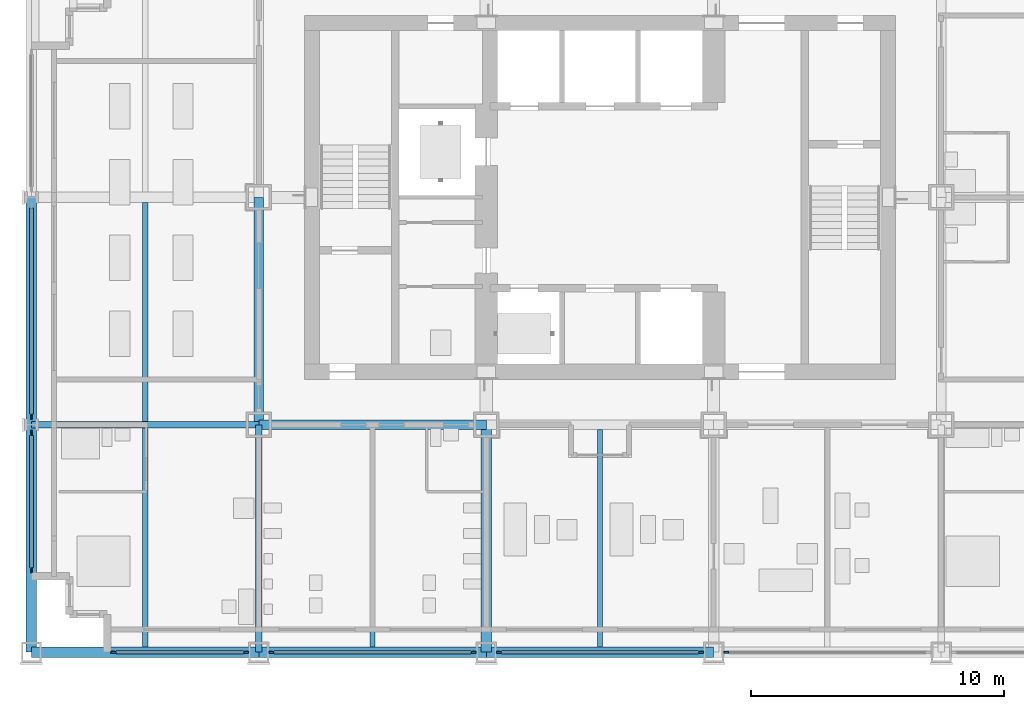
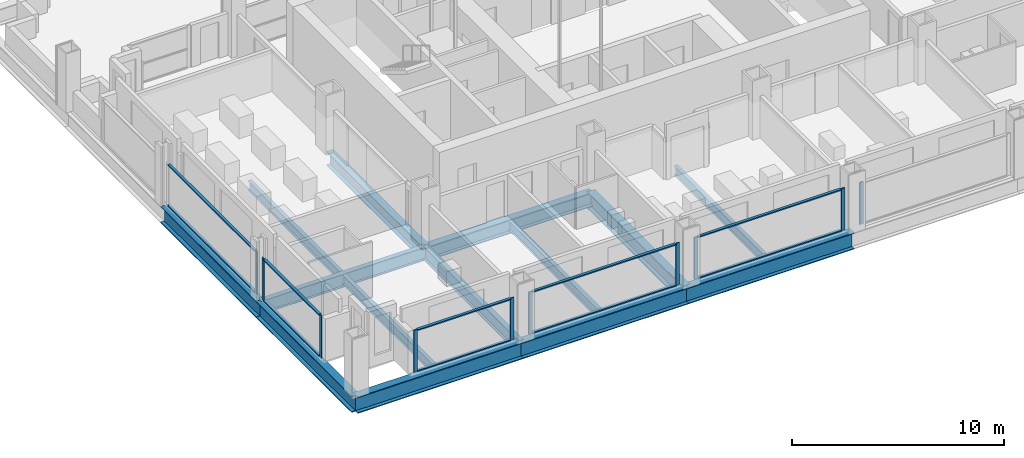
# One storey, part 2 of 15: 20 members, 14 beams, 6 elements without a shape of their own.
"""IFC4 building model written with IfcOpenShell, lengths in metres."""

from ifc_helpers import new_model, si_unit, direction, frame, origin, origin_2d, place, context, subcontext, project, spatial, rectangle, i_section, extrude, material, material_profile, profile_set, type_object, element, aggregate, save


model = new_model("IFC4")

# Units and contexts
model_context = context("Model", 3, precision=1e-05, world=origin(), true_north=direction((0.0, 1.0)))
body_context = subcontext(model_context, "Body", "Model", "MODEL_VIEW")
ifc_project = project(units=[si_unit("LENGTHUNIT", "METRE"), si_unit("AREAUNIT", "SQUARE_METRE"), si_unit("VOLUMEUNIT", "CUBIC_METRE"), si_unit("PLANEANGLEUNIT", "RADIAN"), si_unit("MASSUNIT", "GRAM", prefix="KILO")], contexts=[model_context])

# Site, building, storey
site_placement = place(None, origin())
site = spatial("IfcSite", under=ifc_project, at=site_placement, CompositionType="ELEMENT")
building_placement = place(site_placement, origin())
building = spatial("IfcBuilding", under=site, at=building_placement, Name="Loomwork Tower", CompositionType="ELEMENT")
storey_placement = place(building_placement, frame((0.0, 0.0, 160.39990234375)))
storey = spatial("IfcBuildingStorey", under=building, at=storey_placement, Name="L43", CompositionType="ELEMENT", Elevation=160.39990234375)

# Beams
ifc_material_1 = material(Name="Steel ASTM A992", Category="steel")
ifc_material_profile_1 = material_profile(ifc_material_1, i_section(OverallWidth=0.424072265625, OverallDepth=0.947509765625, WebThickness=0.02392578125, FlangeThickness=0.042724609375, at=origin_2d()), Name="W36x302")
ifc_profile_set_1 = profile_set([ifc_material_profile_1], Name="Steel ASTM A992")
beam_type_1 = type_object("IfcBeamType", Name="BELT CHORD SPANDREL W36x302", PredefinedType="SPANDREL", material=ifc_profile_set_1)
for number, where, z_axis, x_axis, name in (
    (1, (0.0, 0.0, -0.673583984375), (1.0, 0.0, 0.0), (0.0, 1.0, 0.0), "Belt Chord Spandrel D/2-D/3 L43"),
    (2, (9.0, 0.0, -0.673583984375), (1.0, 0.0, 0.0), (0.0, 1.0, 0.0), "Belt Chord Spandrel D/3-D/4 L43"),
    (3, (18.0, 0.0, -0.673583984375), (1.0, 0.0, 0.0), (0.0, 1.0, 0.0), "Belt Chord Spandrel D/4-D/5 L43"),
    (4, (0.0, 0.0, -0.673583984375), (0.0, 1.0, 0.0), (-1.0, 0.0, 0.0), "Belt Chord Spandrel D/2-E/2 L43"),
    (5, (0.0, 9.0, -0.673583984375), (0.0, 1.0, 0.0), (-1.0, 0.0, 0.0), "Belt Chord Spandrel E/2-F/2 L43"),
):
    element("IfcBeam", number, at=place(storey_placement, frame(where, z_axis=z_axis, x_axis=x_axis)), inside=storey, type_object=beam_type_1, Name=name, PredefinedType="SPANDREL", context=body_context, shape_type="SweptSolid", body=[
        extrude(i_section(OverallWidth=0.424072265625, OverallDepth=0.947509765625, WebThickness=0.02392578125, FlangeThickness=0.042724609375, at=origin_2d()), origin(), (0.0, 0.0, 1.0), 9.0),
    ])
ifc_material_2 = material(Name="Steel ASTM A992", Category="steel")
ifc_material_profile_2 = material_profile(ifc_material_2, i_section(OverallWidth=0.383544921875, OverallDepth=0.794921875, WebThickness=0.02099609375, FlangeThickness=0.0380859375, at=origin_2d()), Name="W30x235")
ifc_profile_set_2 = profile_set([ifc_material_profile_2], Name="Steel ASTM A992")
beam_type_2 = type_object("IfcBeamType", Name="CORE FLANK GIRDER W30x235", PredefinedType="BEAM", material=ifc_profile_set_2)
for number, where, z_axis, x_axis, name in (
    (6, (9.0, 9.0, -0.597412109375), (1.0, 0.0, 0.0), (0.0, 1.0, 0.0), "Core Flank Girder E/3-E/4 L43"),
    (7, (9.0, 9.0, -0.597412109375), (0.0, 1.0, 0.0), (-1.0, 0.0, 0.0), "Core Flank Girder E/3-F/3 L43"),
):
    element("IfcBeam", number, at=place(storey_placement, frame(where, z_axis=z_axis, x_axis=x_axis)), inside=storey, type_object=beam_type_2, Name=name, PredefinedType="BEAM", context=body_context, shape_type="SweptSolid", body=[
        extrude(i_section(OverallWidth=0.383544921875, OverallDepth=0.794921875, WebThickness=0.02099609375, FlangeThickness=0.0380859375, at=origin_2d()), origin(), (0.0, 0.0, 1.0), 9.0),
    ])
ifc_material_3 = material(Name="Steel ASTM A992", Category="steel")
ifc_material_profile_3 = material_profile(ifc_material_3, i_section(OverallWidth=0.2666015625, OverallDepth=0.761962890625, WebThickness=0.014404296875, FlangeThickness=0.021484375, at=origin_2d()), Name="W30x116")
ifc_profile_set_3 = profile_set([ifc_material_profile_3], Name="Steel ASTM A992")
beam_type_3 = type_object("IfcBeamType", Name="FLOOR GIRDER W30x116", PredefinedType="BEAM", material=ifc_profile_set_3)
for number, where, z_axis, x_axis, name in (
    (8, (0.0, 9.0, -0.580810546875), (1.0, 0.0, 0.0), (0.0, 1.0, 0.0), "Floor Girder E/2-E/3 L43"),
    (9, (9.0, 0.0, -0.580810546875), (0.0, 1.0, 0.0), (-1.0, 0.0, 0.0), "Floor Girder D/3-E/3 L43"),
):
    element("IfcBeam", number, at=place(storey_placement, frame(where, z_axis=z_axis, x_axis=x_axis)), inside=storey, type_object=beam_type_3, Name=name, PredefinedType="BEAM", context=body_context, shape_type="SweptSolid", body=[
        extrude(i_section(OverallWidth=0.2666015625, OverallDepth=0.761962890625, WebThickness=0.014404296875, FlangeThickness=0.021484375, at=origin_2d()), origin(), (0.0, 0.0, 1.0), 9.0),
    ])
ifc_material_4 = material(Name="Steel ASTM A992", Category="steel")
ifc_material_profile_4 = material_profile(ifc_material_4, i_section(OverallWidth=0.21240234375, OverallDepth=0.54345703125, WebThickness=0.01318359375, FlangeThickness=0.021240234375, at=origin_2d()), Name="W21x83")
ifc_profile_set_4 = profile_set([ifc_material_profile_4], Name="Steel ASTM A992")
beam_type_4 = type_object("IfcBeamType", Name="FLOOR JOIST W21x83", PredefinedType="JOIST", material=ifc_profile_set_4)
for number, where, z_axis, x_axis, name in (
    (10, (4.5, 0.2119140625, -0.4716796875), (0.0, 1.0, 0.0), (-1.0, 0.0, 0.0), "Floor Joist 4.500,0.000-4.500,9.000 L43"),
    (11, (4.5, 9.133056640625, -0.4716796875), (0.0, 1.0, 0.0), (-1.0, 0.0, 0.0), "Floor Joist 4.500,9.000-4.500,18.000 L43"),
):
    element("IfcBeam", number, at=place(storey_placement, frame(where, z_axis=z_axis, x_axis=x_axis)), inside=storey, type_object=beam_type_4, Name=name, PredefinedType="JOIST", context=body_context, shape_type="SweptSolid", body=[
        extrude(i_section(OverallWidth=0.21240234375, OverallDepth=0.54345703125, WebThickness=0.01318359375, FlangeThickness=0.021240234375, at=origin_2d()), origin(), (0.0, 0.0, 1.0), 8.655029296875),
    ])
for number, where, z_axis, x_axis, name in (
    (12, (13.5, 0.2119140625, -0.4716796875), (0.0, 1.0, 0.0), (-1.0, 0.0, 0.0), "Floor Joist 13.500,0.000-13.500,9.000 L43"),
    (13, (22.5, 0.2119140625, -0.4716796875), (0.0, 1.0, 0.0), (-1.0, 0.0, 0.0), "Floor Joist 22.500,0.000-22.500,9.000 L43"),
):
    element("IfcBeam", number, at=place(storey_placement, frame(where, z_axis=z_axis, x_axis=x_axis)), inside=storey, type_object=beam_type_4, Name=name, PredefinedType="JOIST", context=body_context, shape_type="SweptSolid", body=[
        extrude(i_section(OverallWidth=0.21240234375, OverallDepth=0.54345703125, WebThickness=0.01318359375, FlangeThickness=0.021240234375, at=origin_2d()), origin(), (0.0, 0.0, 1.0), 8.59716796875),
    ])
ifc_material_5 = material(Name="Steel ASTM A992", Category="steel")
ifc_material_profile_5 = material_profile(ifc_material_5, i_section(OverallWidth=0.424072265625, OverallDepth=0.947509765625, WebThickness=0.02392578125, FlangeThickness=0.042724609375, at=origin_2d()), Name="W36x302")
ifc_profile_set_5 = profile_set([ifc_material_profile_5], Name="Steel ASTM A992")
beam_type_5 = type_object("IfcBeamType", Name="OUTRIGGER GIRDER W36x302", PredefinedType="BEAM", material=ifc_profile_set_5)
beam_placement = place(storey_placement, frame((18.0, 0.0, -0.673583984375), z_axis=(0.0, 1.0, 0.0), x_axis=(-1.0, 0.0, 0.0)))
element("IfcBeam", 14, at=beam_placement, inside=storey, type_object=beam_type_5, Name="Outrigger Girder D/4-E/4 L43", PredefinedType="BEAM", context=body_context, shape_type="SweptSolid", body=[
    extrude(i_section(OverallWidth=0.424072265625, OverallDepth=0.947509765625, WebThickness=0.02392578125, FlangeThickness=0.042724609375, at=origin_2d()), origin(), (0.0, 0.0, 1.0), 9.0),
])

# Curtain wall, members
ifc_material_6 = material(Name="Aluminium curtain wall frame", Category="aluminium")
curtain_wall_type = type_object("IfcCurtainWallType", Name="Outer skin glazing hotel", PredefinedType="NOTDEFINED", material=ifc_material_6)
curtain_wall_1_placement = place(storey_placement, origin())
curtain_wall_1 = element("IfcCurtainWall", 15, at=curtain_wall_1_placement, inside=storey, type_object=curtain_wall_type, Name="Outer skin glazing hotel cw/S-0", PredefinedType="NOTDEFINED")
ifc_material_7 = material(Name="Aluminium curtain wall frame", Category="aluminium")
ifc_material_profile_6 = material_profile(ifc_material_7, rectangle(XDim=0.06494140625, YDim=0.199951171875, at=origin_2d()), Name="AL 65x200")
ifc_profile_set_6 = profile_set([ifc_material_profile_6], Name="Aluminium curtain wall frame")
member_type_1 = type_object("IfcMemberType", Name="Outer skin glazing hotel mullion", PredefinedType="MULLION", material=ifc_profile_set_6)
member_1_placement = place(storey_placement, frame((3.25, 0.0, 0.0), z_axis=(0.0, 0.0, 1.0), x_axis=(0.0, 1.0, 0.0)))
member_1 = element("IfcMember", 16, at=member_1_placement, type_object=member_type_1, Name="CW1 mullion 1", PredefinedType="MULLION", context=body_context, shape_type="SweptSolid", body=[
    extrude(rectangle(XDim=0.06494140625, YDim=0.199951171875, at=origin_2d()), origin(), (0.0, 0.0, 1.0), 2.42041015625),
])
member_2_placement = place(storey_placement, frame((8.5, 0.0, 0.0), z_axis=(0.0, 0.0, 1.0), x_axis=(0.0, 1.0, 0.0)))
member_2 = element("IfcMember", 17, at=member_2_placement, type_object=member_type_1, Name="CW1 mullion 2", PredefinedType="MULLION", context=body_context, shape_type="SweptSolid", body=[
    extrude(rectangle(XDim=0.06494140625, YDim=0.199951171875, at=origin_2d()), origin(), (0.0, 0.0, 1.0), 2.42041015625),
])

curtain_wall_2_placement = place(storey_placement, origin())
curtain_wall_2 = element("IfcCurtainWall", 18, at=curtain_wall_2_placement, inside=storey, type_object=curtain_wall_type, Name="Outer skin glazing hotel cw/S-9", PredefinedType="NOTDEFINED")
member_3_placement = place(storey_placement, frame((9.5, 0.0, 0.0), z_axis=(0.0, 0.0, 1.0), x_axis=(0.0, 1.0, 0.0)))
member_3 = element("IfcMember", 19, at=member_3_placement, type_object=member_type_1, Name="CW1 mullion 1", PredefinedType="MULLION", context=body_context, shape_type="SweptSolid", body=[
    extrude(rectangle(XDim=0.06494140625, YDim=0.199951171875, at=origin_2d()), origin(), (0.0, 0.0, 1.0), 2.42041015625),
])
member_4_placement = place(storey_placement, frame((17.5, 0.0, 0.0), z_axis=(0.0, 0.0, 1.0), x_axis=(0.0, 1.0, 0.0)))
member_4 = element("IfcMember", 20, at=member_4_placement, type_object=member_type_1, Name="CW1 mullion 2", PredefinedType="MULLION", context=body_context, shape_type="SweptSolid", body=[
    extrude(rectangle(XDim=0.06494140625, YDim=0.199951171875, at=origin_2d()), origin(), (0.0, 0.0, 1.0), 2.42041015625),
])

curtain_wall_3_placement = place(storey_placement, origin())
curtain_wall_3 = element("IfcCurtainWall", 21, at=curtain_wall_3_placement, inside=storey, type_object=curtain_wall_type, Name="Outer skin glazing hotel cw/S-18", PredefinedType="NOTDEFINED")
member_5_placement = place(storey_placement, frame((18.5, 0.0, 0.0), z_axis=(0.0, 0.0, 1.0), x_axis=(0.0, 1.0, 0.0)))
member_5 = element("IfcMember", 22, at=member_5_placement, type_object=member_type_1, Name="CW1 mullion 1", PredefinedType="MULLION", context=body_context, shape_type="SweptSolid", body=[
    extrude(rectangle(XDim=0.06494140625, YDim=0.199951171875, at=origin_2d()), origin(), (0.0, 0.0, 1.0), 2.42041015625),
])
member_6_placement = place(storey_placement, frame((26.5, 0.0, 0.0), z_axis=(0.0, 0.0, 1.0), x_axis=(0.0, 1.0, 0.0)))
member_6 = element("IfcMember", 23, at=member_6_placement, type_object=member_type_1, Name="CW1 mullion 2", PredefinedType="MULLION", context=body_context, shape_type="SweptSolid", body=[
    extrude(rectangle(XDim=0.06494140625, YDim=0.199951171875, at=origin_2d()), origin(), (0.0, 0.0, 1.0), 2.42041015625),
])

# Curtain wall, member
curtain_wall_4_placement = place(storey_placement, origin())
curtain_wall_4 = element("IfcCurtainWall", 24, at=curtain_wall_4_placement, inside=storey, type_object=curtain_wall_type, Name="Outer skin glazing hotel cw/S-27", PredefinedType="NOTDEFINED")
member_7_placement = place(storey_placement, frame((27.5, 0.0, 0.0), z_axis=(0.0, 0.0, 1.0), x_axis=(0.0, 1.0, 0.0)))
member_7 = element("IfcMember", 25, at=member_7_placement, type_object=member_type_1, Name="CW1 mullion 1", PredefinedType="MULLION", context=body_context, shape_type="SweptSolid", body=[
    extrude(rectangle(XDim=0.06494140625, YDim=0.199951171875, at=origin_2d()), origin(), (0.0, 0.0, 1.0), 2.42041015625),
])
aggregate(curtain_wall_4, [member_7])

# Curtain wall, members
curtain_wall_5_placement = place(storey_placement, origin())
curtain_wall_5 = element("IfcCurtainWall", 26, at=curtain_wall_5_placement, inside=storey, type_object=curtain_wall_type, Name="Outer skin glazing hotel cw/W-0", PredefinedType="NOTDEFINED")
member_8_placement = place(storey_placement, frame((0.0, 8.67529296875, 0.0), z_axis=(0.0, 0.0, 1.0), x_axis=(1.0, 0.0, 0.0)))
member_8 = element("IfcMember", 27, at=member_8_placement, type_object=member_type_1, Name="CW1 mullion 1", PredefinedType="MULLION", context=body_context, shape_type="SweptSolid", body=[
    extrude(rectangle(XDim=0.06494140625, YDim=0.199951171875, at=origin_2d()), origin(), (0.0, 0.0, 1.0), 2.42041015625),
])
member_9_placement = place(storey_placement, frame((0.0, 3.25, 0.0), z_axis=(0.0, 0.0, 1.0), x_axis=(1.0, 0.0, 0.0)))
member_9 = element("IfcMember", 28, at=member_9_placement, type_object=member_type_1, Name="CW1 mullion 2", PredefinedType="MULLION", context=body_context, shape_type="SweptSolid", body=[
    extrude(rectangle(XDim=0.06494140625, YDim=0.199951171875, at=origin_2d()), origin(), (0.0, 0.0, 1.0), 2.42041015625),
])

# Curtain wall, member
curtain_wall_6_placement = place(storey_placement, origin())
curtain_wall_6 = element("IfcCurtainWall", 29, at=curtain_wall_6_placement, inside=storey, type_object=curtain_wall_type, Name="Outer skin glazing hotel cw/W-9", PredefinedType="NOTDEFINED")
member_10_placement = place(storey_placement, frame((0.0, 9.32470703125, 0.0), z_axis=(0.0, 0.0, 1.0), x_axis=(1.0, 0.0, 0.0)))
member_10 = element("IfcMember", 30, at=member_10_placement, type_object=member_type_1, Name="CW1 mullion 2", PredefinedType="MULLION", context=body_context, shape_type="SweptSolid", body=[
    extrude(rectangle(XDim=0.06494140625, YDim=0.199951171875, at=origin_2d()), origin(), (0.0, 0.0, 1.0), 2.42041015625),
])

# Member
ifc_material_8 = material(Name="Aluminium curtain wall frame", Category="aluminium")
ifc_material_profile_7 = material_profile(ifc_material_8, rectangle(XDim=0.14990234375, YDim=0.06494140625, at=origin_2d()), Name="AL 65x150")
ifc_profile_set_7 = profile_set([ifc_material_profile_7], Name="Aluminium curtain wall frame")
member_type_2 = type_object("IfcMemberType", Name="Outer skin glazing hotel transom", PredefinedType="USERDEFINED", material=ifc_profile_set_7)
member_11_placement = place(storey_placement, frame((3.35009765625, 0.0, 0.03271484375), z_axis=(1.0, 0.0, 0.0), x_axis=(0.0, 1.0, 0.0)))
member_11 = element("IfcMember", 31, at=member_11_placement, type_object=member_type_2, Name="CW1 transom 1.1", ObjectType="TRANSOM", PredefinedType="USERDEFINED", context=body_context, shape_type="SweptSolid", body=[
    extrude(rectangle(XDim=0.14990234375, YDim=0.06494140625, at=origin_2d()), origin(), (0.0, 0.0, 1.0), 5.0498046875),
])

member_12_placement = place(storey_placement, frame((3.35009765625, 0.0, 2.3876953125), z_axis=(1.0, 0.0, 0.0), x_axis=(0.0, 1.0, 0.0)))
member_12 = element("IfcMember", 32, at=member_12_placement, type_object=member_type_2, Name="CW1 transom 1.2", ObjectType="TRANSOM", PredefinedType="USERDEFINED", context=body_context, shape_type="SweptSolid", body=[
    extrude(rectangle(XDim=0.14990234375, YDim=0.06494140625, at=origin_2d()), origin(), (0.0, 0.0, 1.0), 5.0498046875),
])

aggregate(curtain_wall_1, [member_1, member_2, member_11, member_12])

member_13_placement = place(storey_placement, frame((9.60009765625, 0.0, 0.03271484375), z_axis=(1.0, 0.0, 0.0), x_axis=(0.0, 1.0, 0.0)))
member_13 = element("IfcMember", 33, at=member_13_placement, type_object=member_type_2, Name="CW1 transom 1.1", ObjectType="TRANSOM", PredefinedType="USERDEFINED", context=body_context, shape_type="SweptSolid", body=[
    extrude(rectangle(XDim=0.14990234375, YDim=0.06494140625, at=origin_2d()), origin(), (0.0, 0.0, 1.0), 7.7998046875),
])

member_14_placement = place(storey_placement, frame((9.60009765625, 0.0, 2.3876953125), z_axis=(1.0, 0.0, 0.0), x_axis=(0.0, 1.0, 0.0)))
member_14 = element("IfcMember", 34, at=member_14_placement, type_object=member_type_2, Name="CW1 transom 1.2", ObjectType="TRANSOM", PredefinedType="USERDEFINED", context=body_context, shape_type="SweptSolid", body=[
    extrude(rectangle(XDim=0.14990234375, YDim=0.06494140625, at=origin_2d()), origin(), (0.0, 0.0, 1.0), 7.7998046875),
])

aggregate(curtain_wall_2, [member_3, member_4, member_13, member_14])

member_15_placement = place(storey_placement, frame((18.60009765625, 0.0, 0.03271484375), z_axis=(1.0, 0.0, 0.0), x_axis=(0.0, 1.0, 0.0)))
member_15 = element("IfcMember", 35, at=member_15_placement, type_object=member_type_2, Name="CW1 transom 1.1", ObjectType="TRANSOM", PredefinedType="USERDEFINED", context=body_context, shape_type="SweptSolid", body=[
    extrude(rectangle(XDim=0.14990234375, YDim=0.06494140625, at=origin_2d()), origin(), (0.0, 0.0, 1.0), 7.7998046875),
])

member_16_placement = place(storey_placement, frame((18.60009765625, 0.0, 2.3876953125), z_axis=(1.0, 0.0, 0.0), x_axis=(0.0, 1.0, 0.0)))
member_16 = element("IfcMember", 36, at=member_16_placement, type_object=member_type_2, Name="CW1 transom 1.2", ObjectType="TRANSOM", PredefinedType="USERDEFINED", context=body_context, shape_type="SweptSolid", body=[
    extrude(rectangle(XDim=0.14990234375, YDim=0.06494140625, at=origin_2d()), origin(), (0.0, 0.0, 1.0), 7.7998046875),
])

aggregate(curtain_wall_3, [member_5, member_6, member_15, member_16])

member_17_placement = place(storey_placement, frame((0.0, 8.5751953125, 0.03271484375), z_axis=(0.0, -1.0, 0.0), x_axis=(1.0, 0.0, 0.0)))
member_17 = element("IfcMember", 37, at=member_17_placement, type_object=member_type_2, Name="CW1 transom 1.1", ObjectType="TRANSOM", PredefinedType="USERDEFINED", context=body_context, shape_type="SweptSolid", body=[
    extrude(rectangle(XDim=0.14990234375, YDim=0.06494140625, at=origin_2d()), origin(), (0.0, 0.0, 1.0), 5.22509765625),
])

member_18_placement = place(storey_placement, frame((0.0, 8.5751953125, 2.3876953125), z_axis=(0.0, -1.0, 0.0), x_axis=(1.0, 0.0, 0.0)))
member_18 = element("IfcMember", 38, at=member_18_placement, type_object=member_type_2, Name="CW1 transom 1.2", ObjectType="TRANSOM", PredefinedType="USERDEFINED", context=body_context, shape_type="SweptSolid", body=[
    extrude(rectangle(XDim=0.14990234375, YDim=0.06494140625, at=origin_2d()), origin(), (0.0, 0.0, 1.0), 5.22509765625),
])

aggregate(curtain_wall_5, [member_8, member_9, member_17, member_18])

member_19_placement = place(storey_placement, frame((0.0, 17.5751953125, 0.03271484375), z_axis=(0.0, -1.0, 0.0), x_axis=(1.0, 0.0, 0.0)))
member_19 = element("IfcMember", 39, at=member_19_placement, type_object=member_type_2, Name="CW1 transom 1.1", ObjectType="TRANSOM", PredefinedType="USERDEFINED", context=body_context, shape_type="SweptSolid", body=[
    extrude(rectangle(XDim=0.14990234375, YDim=0.06494140625, at=origin_2d()), origin(), (0.0, 0.0, 1.0), 8.150390625),
])

member_20_placement = place(storey_placement, frame((0.0, 17.5751953125, 2.3876953125), z_axis=(0.0, -1.0, 0.0), x_axis=(1.0, 0.0, 0.0)))
member_20 = element("IfcMember", 40, at=member_20_placement, type_object=member_type_2, Name="CW1 transom 1.2", ObjectType="TRANSOM", PredefinedType="USERDEFINED", context=body_context, shape_type="SweptSolid", body=[
    extrude(rectangle(XDim=0.14990234375, YDim=0.06494140625, at=origin_2d()), origin(), (0.0, 0.0, 1.0), 8.150390625),
])

aggregate(curtain_wall_6, [member_10, member_19, member_20])

save(model, "model.ifc")
